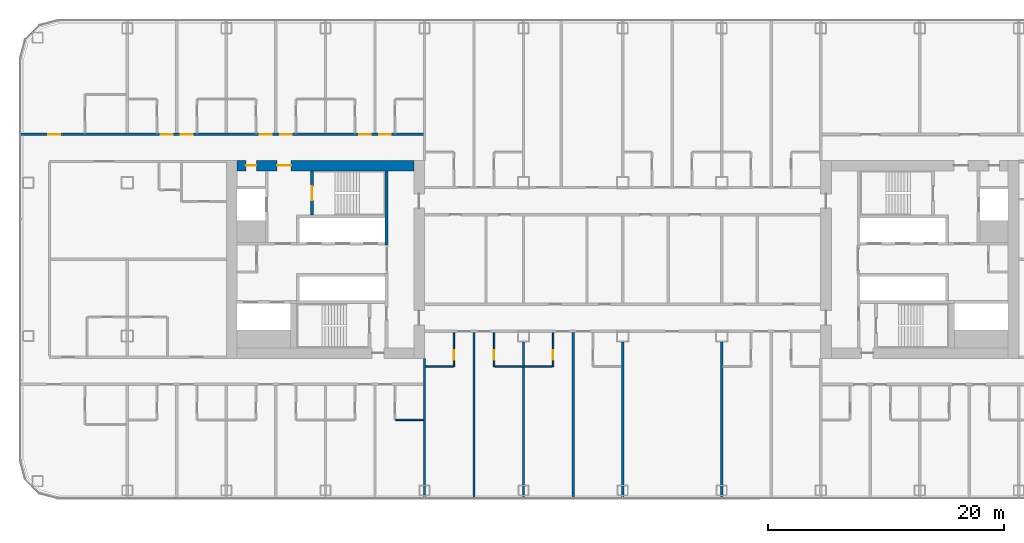
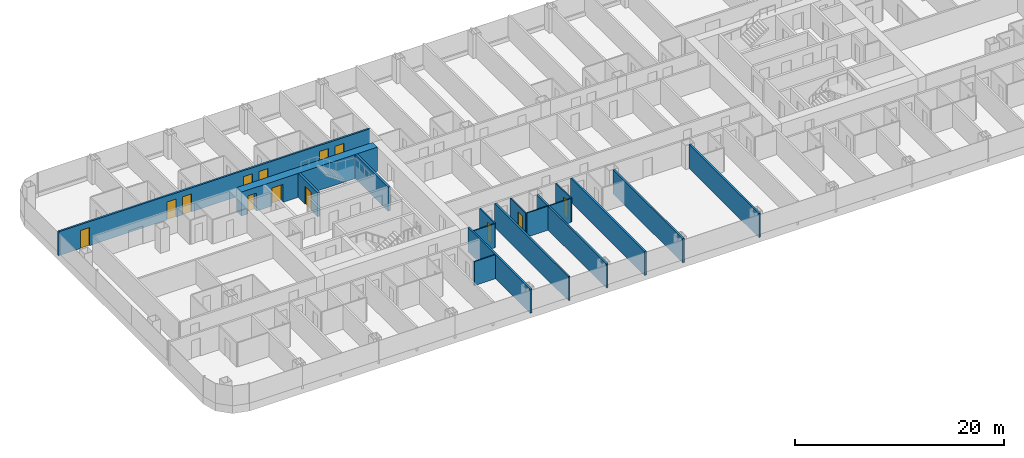
# One storey, part 15 of 29: 16 walls, 13 doors, 13 openings.
"""IFC4 building model written with IfcOpenShell, lengths in metres."""

from ifc_helpers import new_model, si_unit, direction, frame, frame_2d, origin, place, context, subcontext, project, spatial, rectangle, extrude, material, layer, layer_set, type_object, element, fill, save


model = new_model("IFC4")

# Units and contexts
model_context = context("Model", 3, precision=1e-05, world=origin(), true_north=direction((0.0, 1.0)))
body_context = subcontext(model_context, "Body", "Model", "MODEL_VIEW")
ifc_project = project(units=[si_unit("LENGTHUNIT", "METRE"), si_unit("AREAUNIT", "SQUARE_METRE"), si_unit("VOLUMEUNIT", "CUBIC_METRE"), si_unit("PLANEANGLEUNIT", "RADIAN"), si_unit("MASSUNIT", "GRAM", prefix="KILO")], contexts=[model_context])

# Site, building, storey
site_placement = place(None, origin())
site = spatial("IfcSite", under=ifc_project, at=site_placement, CompositionType="ELEMENT")
building_placement = place(site_placement, origin())
building = spatial("IfcBuilding", under=site, at=building_placement, Name="Hakoniwa Tower and Hamabe Station Hall", CompositionType="ELEMENT")
storey_placement = place(building_placement, frame((0.0, 0.0, 23.0)))
storey = spatial("IfcBuildingStorey", under=building, at=storey_placement, Name="L05", CompositionType="ELEMENT", Elevation=23.0)

# Walls
ifc_material_1 = material(Name="Gypsum board partition", Category="gypsum")
ifc_layer_1 = layer(ifc_material_1, 0.125)
ifc_layer_set_1 = layer_set([ifc_layer_1], Name="Bathroom Partition 125")
wall_type_1 = type_object("IfcWallType", Name="Bathroom Partition 125", PredefinedType="PARTITIONING", material=ifc_layer_set_1)
wall_1_placement = place(storey_placement, frame((-19.237548828125, -13.60009765625, 0.0), z_axis=(0.0, 0.0, 1.0), x_axis=(1.0, 0.0, 0.0)))
element("IfcWall", 1, at=wall_1_placement, inside=storey, type_object=wall_type_1, Name="GW-L05-005", PredefinedType="PARTITIONING", context=body_context, shape_type="SweptSolid", body=[
    extrude(rectangle(XDim=2.337646484375, YDim=0.125, at=frame_2d((1.1689453125, 0.0))), origin(), (0.0, 0.0, 1.0), 2.800048828125),
])
wall_2_placement = place(storey_placement, frame((-16.699951171875, -9.10009765625, 0.0), z_axis=(0.0, 0.0, 1.0), x_axis=(1.0, 0.0, 0.0)))
element("IfcWall", 2, at=wall_2_placement, inside=storey, type_object=wall_type_1, Name="GW-L05-013", PredefinedType="PARTITIONING", context=body_context, shape_type="SweptSolid", body=[
    extrude(rectangle(XDim=2.33740234375, YDim=0.125, at=frame_2d((1.168701171875, 0.0))), origin(), (0.0, 0.0, 1.0), 2.800048828125),
])
wall_3_placement = place(storey_placement, frame((-10.83740234375, -9.10009765625, 0.0), z_axis=(0.0, 0.0, 1.0), x_axis=(1.0, 0.0, 0.0)))
element("IfcWall", 3, at=wall_3_placement, inside=storey, type_object=wall_type_1, Name="GW-L05-014", PredefinedType="PARTITIONING", context=body_context, shape_type="SweptSolid", body=[
    extrude(rectangle(XDim=4.875, YDim=0.125, at=frame_2d((2.4375, 0.0))), origin(), (0.0, 0.0, 1.0), 2.800048828125),
])

# Wall, opening, door
wall_4_placement = place(storey_placement, frame((-14.300048828125, -9.10009765625, 0.0), z_axis=(0.0, 0.0, 1.0), x_axis=(0.0, 1.0, 0.0)))
wall_4 = element("IfcWall", 4, at=wall_4_placement, inside=storey, type_object=wall_type_1, Name="GW-L05-081", PredefinedType="PARTITIONING", context=body_context, shape_type="SweptSolid", body=[
    extrude(rectangle(XDim=2.900146484375, YDim=0.125, at=frame_2d((1.4501953125, 0.0))), origin(), (0.0, 0.0, 1.0), 2.800048828125),
])
opening_1_placement = place(wall_4_placement, frame((0.60009765625, 0.0, 0.0)))
opening_1 = element("IfcOpeningElement", 5, at=opening_1_placement, cuts=wall_4, Name="Opening GD-G1B0-78", PredefinedType="OPENING", context=body_context, shape_type="SweptSolid", body=[
    extrude(rectangle(XDim=0.800048828125, YDim=2.10009765625, at=frame_2d((0.39990234375, 1.050048828125))), frame((0.0, 0.072509765625, 0.0), z_axis=(0.0, -1.0, 0.0), x_axis=(1.0, 0.0, 0.0)), (0.0, 0.0, 1.0), 0.14501953125),
])
ifc_material_2 = material(Name="Timber door leaf", Category="wood")
door_type_1 = type_object("IfcDoorType", Name="Bathroom Door 800", OperationType="SINGLE_SWING_LEFT", PredefinedType="DOOR", material=ifc_material_2)
door_1_placement = place(opening_1_placement, origin())
door_1 = element("IfcDoor", 6, at=door_1_placement, inside=storey, type_object=door_type_1, Name="Door GD-G1B0-78", OperationType="SINGLE_SWING_RIGHT", OverallHeight=2.10009765625, OverallWidth=0.800048828125, PredefinedType="DOOR", context=body_context, shape_type="SweptSolid", body=[
    extrude(rectangle(XDim=0.800048828125, YDim=2.10009765625, at=frame_2d((0.39990234375, 1.050048828125))), frame((0.0, 0.02490234375, 0.0), z_axis=(0.0, -1.0, 0.0), x_axis=(1.0, 0.0, 0.0)), (0.0, 0.0, 1.0), 0.050048828125),
])
fill(opening_1, door_1)

wall_5_placement = place(storey_placement, frame((-10.89990234375, -9.10009765625, 0.0), z_axis=(0.0, 0.0, 1.0), x_axis=(0.0, 1.0, 0.0)))
wall_5 = element("IfcWall", 7, at=wall_5_placement, inside=storey, type_object=wall_type_1, Name="GW-L05-086", PredefinedType="PARTITIONING", context=body_context, shape_type="SweptSolid", body=[
    extrude(rectangle(XDim=2.900146484375, YDim=0.125, at=frame_2d((1.4501953125, 0.0))), origin(), (0.0, 0.0, 1.0), 2.800048828125),
])
opening_2_placement = place(wall_5_placement, frame((0.60009765625, 0.0, 0.0)))
opening_2 = element("IfcOpeningElement", 8, at=opening_2_placement, cuts=wall_5, Name="Opening GD-G1B0-80", PredefinedType="OPENING", context=body_context, shape_type="SweptSolid", body=[
    extrude(rectangle(XDim=0.800048828125, YDim=2.10009765625, at=frame_2d((0.39990234375, 1.050048828125))), frame((0.0, 0.072509765625, 0.0), z_axis=(0.0, -1.0, 0.0), x_axis=(1.0, 0.0, 0.0)), (0.0, 0.0, 1.0), 0.14501953125),
])
door_2_placement = place(opening_2_placement, origin())
door_2 = element("IfcDoor", 9, at=door_2_placement, inside=storey, type_object=door_type_1, Name="Door GD-G1B0-80", OperationType="SINGLE_SWING_LEFT", OverallHeight=2.10009765625, OverallWidth=0.800048828125, PredefinedType="DOOR", context=body_context, shape_type="SweptSolid", body=[
    extrude(rectangle(XDim=0.800048828125, YDim=2.10009765625, at=frame_2d((0.39990234375, 1.050048828125))), frame((0.0, 0.02490234375, 0.0), z_axis=(0.0, -1.0, 0.0), x_axis=(1.0, 0.0, 0.0)), (0.0, 0.0, 1.0), 0.050048828125),
])
fill(opening_2, door_2)

wall_6_placement = place(storey_placement, frame((-5.89990234375, -9.10009765625, 0.0), z_axis=(0.0, 0.0, 1.0), x_axis=(0.0, 1.0, 0.0)))
wall_6 = element("IfcWall", 10, at=wall_6_placement, inside=storey, type_object=wall_type_1, Name="GW-L05-091", PredefinedType="PARTITIONING", context=body_context, shape_type="SweptSolid", body=[
    extrude(rectangle(XDim=2.900146484375, YDim=0.125, at=frame_2d((1.4501953125, 0.0))), origin(), (0.0, 0.0, 1.0), 2.800048828125),
])
opening_3_placement = place(wall_6_placement, frame((0.60009765625, 0.0, 0.0)))
opening_3 = element("IfcOpeningElement", 11, at=opening_3_placement, cuts=wall_6, Name="Opening GD-G1B0-82", PredefinedType="OPENING", context=body_context, shape_type="SweptSolid", body=[
    extrude(rectangle(XDim=0.800048828125, YDim=2.10009765625, at=frame_2d((0.39990234375, 1.050048828125))), frame((0.0, 0.072509765625, 0.0), z_axis=(0.0, -1.0, 0.0), x_axis=(1.0, 0.0, 0.0)), (0.0, 0.0, 1.0), 0.14501953125),
])
door_3_placement = place(opening_3_placement, origin())
door_3 = element("IfcDoor", 12, at=door_3_placement, inside=storey, type_object=door_type_1, Name="Door GD-G1B0-82", OperationType="SINGLE_SWING_RIGHT", OverallHeight=2.10009765625, OverallWidth=0.800048828125, PredefinedType="DOOR", context=body_context, shape_type="SweptSolid", body=[
    extrude(rectangle(XDim=0.800048828125, YDim=2.10009765625, at=frame_2d((0.39990234375, 1.050048828125))), frame((0.0, 0.02490234375, 0.0), z_axis=(0.0, -1.0, 0.0), x_axis=(1.0, 0.0, 0.0)), (0.0, 0.0, 1.0), 0.050048828125),
])
fill(opening_3, door_3)

# Wall, openings, doors
ifc_material_3 = material(Name="Concrete C80", Category="concrete")
ifc_layer_2 = layer(ifc_material_3, 0.89990234375)
ifc_layer_set_2 = layer_set([ifc_layer_2], Name="CORE WALL 900 C80")
wall_type_2 = type_object("IfcWallType", Name="CORE WALL 900 C80", PredefinedType="SHEAR", material=ifc_layer_set_2)
wall_7_placement = place(storey_placement, frame((-32.699951171875, 7.949951171875, 0.0), z_axis=(0.0, 0.0, 1.0), x_axis=(1.0, 0.0, 0.0)))
wall_7 = element("IfcWall", 13, at=wall_7_placement, inside=storey, type_object=wall_type_2, Name="Core wall NORTH west", PredefinedType="SHEAR", context=body_context, shape_type="SweptSolid", body=[
    extrude(rectangle(XDim=15.0, YDim=0.89990234375, at=frame_2d((7.5, 0.0))), origin(), (0.0, 0.0, 1.0), 2.800048828125),
])
opening_4_placement = place(wall_7_placement, frame((3.39990234375, 0.0, 0.0)))
opening_4 = element("IfcOpeningElement", 14, at=opening_4_placement, cuts=wall_7, Name="Opening CD-W-FN1-12", PredefinedType="OPENING", context=body_context, shape_type="SweptSolid", body=[
    extrude(rectangle(XDim=1.199951171875, YDim=2.10009765625, at=frame_2d((0.60009765625, 1.050048828125))), frame((0.0, 0.4599609375, 0.0), z_axis=(0.0, -1.0, 0.0), x_axis=(1.0, 0.0, 0.0)), (0.0, 0.0, 1.0), 0.919921875),
])
opening_5_placement = place(wall_7_placement, frame((0.75, 0.0, 0.0)))
opening_5 = element("IfcOpeningElement", 15, at=opening_5_placement, cuts=wall_7, Name="Opening CD-W-FN2-9", PredefinedType="OPENING", context=body_context, shape_type="SweptSolid", body=[
    extrude(rectangle(XDim=0.89990234375, YDim=2.10009765625, at=frame_2d((0.449951171875, 1.050048828125))), frame((0.0, 0.4599609375, 0.0), z_axis=(0.0, -1.0, 0.0), x_axis=(1.0, 0.0, 0.0)), (0.0, 0.0, 1.0), 0.919921875),
])
ifc_material_4 = material(Name="Steel fire door", Category="steel")
door_type_2 = type_object("IfcDoorType", Name="CORE DOOR 1200 FD60", OperationType="DOUBLE_DOOR_SINGLE_SWING", PredefinedType="DOOR", material=ifc_material_4)
door_4_placement = place(opening_4_placement, origin())
door_4 = element("IfcDoor", 16, at=door_4_placement, inside=storey, type_object=door_type_2, Name="Stair vestibule door to the fire-fighting lobby", OperationType="DOUBLE_DOOR_SINGLE_SWING", OverallHeight=2.10009765625, OverallWidth=1.199951171875, PredefinedType="DOOR", context=body_context, shape_type="SweptSolid", body=[
    extrude(rectangle(XDim=1.199951171875, YDim=2.10009765625, at=frame_2d((0.60009765625, 1.050048828125))), frame((0.0, 0.02490234375, 0.0), z_axis=(0.0, -1.0, 0.0), x_axis=(1.0, 0.0, 0.0)), (0.0, 0.0, 1.0), 0.050048828125),
])
fill(opening_4, door_4)
ifc_material_5 = material(Name="Steel fire door", Category="steel")
door_type_3 = type_object("IfcDoorType", Name="CORE DOOR 900 FD30", OperationType="NOTDEFINED", PredefinedType="DOOR", material=ifc_material_5)
door_5_placement = place(opening_5_placement, origin())
door_5 = element("IfcDoor", 17, at=door_5_placement, inside=storey, type_object=door_type_3, Name="Riser access door", OperationType="SINGLE_SWING_LEFT", OverallHeight=2.10009765625, OverallWidth=0.89990234375, PredefinedType="DOOR", context=body_context, shape_type="SweptSolid", body=[
    extrude(rectangle(XDim=0.89990234375, YDim=2.10009765625, at=frame_2d((0.449951171875, 1.050048828125))), frame((0.0, 0.02490234375, 0.0), z_axis=(0.0, -1.0, 0.0), x_axis=(1.0, 0.0, 0.0)), (0.0, 0.0, 1.0), 0.050048828125),
])
fill(opening_5, door_5)

# Wall
ifc_material_6 = material(Name="Concrete C80", Category="concrete")
ifc_layer_3 = layer(ifc_material_6, 0.25)
ifc_layer_set_3 = layer_set([ifc_layer_3], Name="CORE WEB WALL 250 C80")
wall_type_3 = type_object("IfcWallType", Name="CORE WEB WALL 250 C80", PredefinedType="SHEAR", material=ifc_layer_set_3)
wall_8_placement = place(storey_placement, frame((-20.02490234375, 1.199951171875, 0.0), z_axis=(0.0, 0.0, 1.0), x_axis=(0.0, 1.0, 0.0)))
element("IfcWall", 18, at=wall_8_placement, inside=storey, type_object=wall_type_3, Name="Core wall W1N west", PredefinedType="SHEAR", context=body_context, shape_type="SweptSolid", body=[
    extrude(rectangle(XDim=6.300048828125, YDim=0.25, at=frame_2d((3.14990234375, 0.0))), origin(), (0.0, 0.0, 1.0), 2.800048828125),
])

# Wall, opening, door
wall_9_placement = place(storey_placement, frame((-26.324951171875, 3.75, 0.0), z_axis=(0.0, 0.0, 1.0), x_axis=(0.0, 1.0, 0.0)))
wall_9 = element("IfcWall", 19, at=wall_9_placement, inside=storey, type_object=wall_type_3, Name="Core wall NSE west", PredefinedType="SHEAR", context=body_context, shape_type="SweptSolid", body=[
    extrude(rectangle(XDim=3.75, YDim=0.25, at=frame_2d((1.875, 0.0))), origin(), (0.0, 0.0, 1.0), 2.800048828125),
])
opening_6_placement = place(wall_9_placement, frame((1.25, 0.0, 0.0)))
opening_6 = element("IfcOpeningElement", 20, at=opening_6_placement, cuts=wall_9, Name="Opening CD-W-SN-12", PredefinedType="OPENING", context=body_context, shape_type="SweptSolid", body=[
    extrude(rectangle(XDim=1.199951171875, YDim=2.10009765625, at=frame_2d((0.60009765625, 1.050048828125))), frame((0.0, 0.135009765625, 0.0), z_axis=(0.0, -1.0, 0.0), x_axis=(1.0, 0.0, 0.0)), (0.0, 0.0, 1.0), 0.27001953125),
])
door_6_placement = place(opening_6_placement, origin())
door_6 = element("IfcDoor", 21, at=door_6_placement, inside=storey, type_object=door_type_2, Name="Escape stair door", OperationType="DOUBLE_DOOR_SINGLE_SWING", OverallHeight=2.10009765625, OverallWidth=1.199951171875, PredefinedType="DOOR", context=body_context, shape_type="SweptSolid", body=[
    extrude(rectangle(XDim=1.199951171875, YDim=2.10009765625, at=frame_2d((0.60009765625, 1.050048828125))), frame((0.0, 0.02490234375, 0.0), z_axis=(0.0, -1.0, 0.0), x_axis=(1.0, 0.0, 0.0)), (0.0, 0.0, 1.0), 0.050048828125),
])
fill(opening_6, door_6)

# Wall, openings, doors
ifc_material_7 = material(Name="Fire-rated gypsum board partition", Category="gypsum")
ifc_layer_4 = layer(ifc_material_7, 0.199951171875)
ifc_layer_set_4 = layer_set([ifc_layer_4], Name="Corridor Wall 200")
wall_type_4 = type_object("IfcWallType", Name="Corridor Wall 200", PredefinedType="PARTITIONING", material=ifc_layer_set_4)
wall_10_placement = place(storey_placement, frame((-51.10009765625, 10.60009765625, 0.0), z_axis=(0.0, 0.0, 1.0), x_axis=(1.0, 0.0, 0.0)))
wall_10 = element("IfcWall", 22, at=wall_10_placement, inside=storey, type_object=wall_type_4, Name="GW-L05-040", PredefinedType="PARTITIONING", context=body_context, shape_type="SweptSolid", body=[
    extrude(rectangle(XDim=34.300048828125, YDim=0.199951171875, at=frame_2d((17.14990234375, 0.0))), origin(), (0.0, 0.0, 1.0), 2.800048828125),
])
opening_7_placement = place(wall_10_placement, frame((2.39990234375, 0.0, 0.0)))
opening_7 = element("IfcOpeningElement", 23, at=opening_7_placement, cuts=wall_10, Name="Opening GD-G1B0-53", PredefinedType="OPENING", context=body_context, shape_type="SweptSolid", body=[
    extrude(rectangle(XDim=1.0, YDim=2.10009765625, at=frame_2d((0.5, 1.050048828125))), frame((0.0, 0.10986328125, 0.0), z_axis=(0.0, -1.0, 0.0), x_axis=(1.0, 0.0, 0.0)), (0.0, 0.0, 1.0), 0.219970703125),
])
opening_8_placement = place(wall_10_placement, frame((11.949951171875, 0.0, 0.0)))
opening_8 = element("IfcOpeningElement", 24, at=opening_8_placement, cuts=wall_10, Name="Opening GD-G1B0-54", PredefinedType="OPENING", context=body_context, shape_type="SweptSolid", body=[
    extrude(rectangle(XDim=1.0, YDim=2.10009765625, at=frame_2d((0.5, 1.050048828125))), frame((0.0, 0.10986328125, 0.0), z_axis=(0.0, -1.0, 0.0), x_axis=(1.0, 0.0, 0.0)), (0.0, 0.0, 1.0), 0.219970703125),
])
opening_9_placement = place(wall_10_placement, frame((13.64990234375, 0.0, 0.0)))
opening_9 = element("IfcOpeningElement", 25, at=opening_9_placement, cuts=wall_10, Name="Opening GD-G1B0-55", PredefinedType="OPENING", context=body_context, shape_type="SweptSolid", body=[
    extrude(rectangle(XDim=1.0, YDim=2.10009765625, at=frame_2d((0.5, 1.050048828125))), frame((0.0, 0.10986328125, 0.0), z_axis=(0.0, -1.0, 0.0), x_axis=(1.0, 0.0, 0.0)), (0.0, 0.0, 1.0), 0.219970703125),
])
opening_10_placement = place(wall_10_placement, frame((20.35009765625, 0.0, 0.0)))
opening_10 = element("IfcOpeningElement", 26, at=opening_10_placement, cuts=wall_10, Name="Opening GD-G1B0-56", PredefinedType="OPENING", context=body_context, shape_type="SweptSolid", body=[
    extrude(rectangle(XDim=1.0, YDim=2.10009765625, at=frame_2d((0.5, 1.050048828125))), frame((0.0, 0.10986328125, 0.0), z_axis=(0.0, -1.0, 0.0), x_axis=(1.0, 0.0, 0.0)), (0.0, 0.0, 1.0), 0.219970703125),
])
opening_11_placement = place(wall_10_placement, frame((22.050048828125, 0.0, 0.0)))
opening_11 = element("IfcOpeningElement", 27, at=opening_11_placement, cuts=wall_10, Name="Opening GD-G1B0-57", PredefinedType="OPENING", context=body_context, shape_type="SweptSolid", body=[
    extrude(rectangle(XDim=1.0, YDim=2.10009765625, at=frame_2d((0.5, 1.050048828125))), frame((0.0, 0.10986328125, 0.0), z_axis=(0.0, -1.0, 0.0), x_axis=(1.0, 0.0, 0.0)), (0.0, 0.0, 1.0), 0.219970703125),
])
opening_12_placement = place(wall_10_placement, frame((28.75, 0.0, 0.0)))
opening_12 = element("IfcOpeningElement", 28, at=opening_12_placement, cuts=wall_10, Name="Opening GD-G1B0-58", PredefinedType="OPENING", context=body_context, shape_type="SweptSolid", body=[
    extrude(rectangle(XDim=1.0, YDim=2.10009765625, at=frame_2d((0.5, 1.050048828125))), frame((0.0, 0.10986328125, 0.0), z_axis=(0.0, -1.0, 0.0), x_axis=(1.0, 0.0, 0.0)), (0.0, 0.0, 1.0), 0.219970703125),
])
opening_13_placement = place(wall_10_placement, frame((30.449951171875, 0.0, 0.0)))
opening_13 = element("IfcOpeningElement", 29, at=opening_13_placement, cuts=wall_10, Name="Opening GD-G1B0-59", PredefinedType="OPENING", context=body_context, shape_type="SweptSolid", body=[
    extrude(rectangle(XDim=1.0, YDim=2.10009765625, at=frame_2d((0.5, 1.050048828125))), frame((0.0, 0.10986328125, 0.0), z_axis=(0.0, -1.0, 0.0), x_axis=(1.0, 0.0, 0.0)), (0.0, 0.0, 1.0), 0.219970703125),
])
ifc_material_8 = material(Name="Timber door leaf", Category="wood")
door_type_4 = type_object("IfcDoorType", Name="Accessible Guest Entrance Door 1000", OperationType="SINGLE_SWING_LEFT", PredefinedType="DOOR", material=ifc_material_8)
door_7_placement = place(opening_7_placement, origin())
door_7 = element("IfcDoor", 30, at=door_7_placement, inside=storey, type_object=door_type_4, Name="Door GD-G1B0-53", OperationType="SINGLE_SWING_LEFT", OverallHeight=2.10009765625, OverallWidth=1.0, PredefinedType="DOOR", context=body_context, shape_type="SweptSolid", body=[
    extrude(rectangle(XDim=1.0, YDim=2.10009765625, at=frame_2d((0.5, 1.050048828125))), frame((0.0, 0.02490234375, 0.0), z_axis=(0.0, -1.0, 0.0), x_axis=(1.0, 0.0, 0.0)), (0.0, 0.0, 1.0), 0.050048828125),
])
fill(opening_7, door_7)
ifc_material_9 = material(Name="Timber door leaf", Category="wood")
door_type_5 = type_object("IfcDoorType", Name="Guest Entrance Door 1000", OperationType="SINGLE_SWING_LEFT", PredefinedType="DOOR", material=ifc_material_9)
door_8_placement = place(opening_8_placement, origin())
door_8 = element("IfcDoor", 31, at=door_8_placement, inside=storey, type_object=door_type_5, Name="Door GD-G1B0-54", OperationType="SINGLE_SWING_RIGHT", OverallHeight=2.10009765625, OverallWidth=1.0, PredefinedType="DOOR", context=body_context, shape_type="SweptSolid", body=[
    extrude(rectangle(XDim=1.0, YDim=2.10009765625, at=frame_2d((0.5, 1.050048828125))), frame((0.0, 0.02490234375, 0.0), z_axis=(0.0, -1.0, 0.0), x_axis=(1.0, 0.0, 0.0)), (0.0, 0.0, 1.0), 0.050048828125),
])
fill(opening_8, door_8)
door_9_placement = place(opening_9_placement, origin())
door_9 = element("IfcDoor", 32, at=door_9_placement, inside=storey, type_object=door_type_5, Name="Door GD-G1B0-55", OperationType="SINGLE_SWING_LEFT", OverallHeight=2.10009765625, OverallWidth=1.0, PredefinedType="DOOR", context=body_context, shape_type="SweptSolid", body=[
    extrude(rectangle(XDim=1.0, YDim=2.10009765625, at=frame_2d((0.5, 1.050048828125))), frame((0.0, 0.02490234375, 0.0), z_axis=(0.0, -1.0, 0.0), x_axis=(1.0, 0.0, 0.0)), (0.0, 0.0, 1.0), 0.050048828125),
])
fill(opening_9, door_9)
door_10_placement = place(opening_10_placement, origin())
door_10 = element("IfcDoor", 33, at=door_10_placement, inside=storey, type_object=door_type_5, Name="Door GD-G1B0-56", OperationType="SINGLE_SWING_RIGHT", OverallHeight=2.10009765625, OverallWidth=1.0, PredefinedType="DOOR", context=body_context, shape_type="SweptSolid", body=[
    extrude(rectangle(XDim=1.0, YDim=2.10009765625, at=frame_2d((0.5, 1.050048828125))), frame((0.0, 0.02490234375, 0.0), z_axis=(0.0, -1.0, 0.0), x_axis=(1.0, 0.0, 0.0)), (0.0, 0.0, 1.0), 0.050048828125),
])
fill(opening_10, door_10)
door_11_placement = place(opening_11_placement, origin())
door_11 = element("IfcDoor", 34, at=door_11_placement, inside=storey, type_object=door_type_5, Name="Door GD-G1B0-57", OperationType="SINGLE_SWING_LEFT", OverallHeight=2.10009765625, OverallWidth=1.0, PredefinedType="DOOR", context=body_context, shape_type="SweptSolid", body=[
    extrude(rectangle(XDim=1.0, YDim=2.10009765625, at=frame_2d((0.5, 1.050048828125))), frame((0.0, 0.02490234375, 0.0), z_axis=(0.0, -1.0, 0.0), x_axis=(1.0, 0.0, 0.0)), (0.0, 0.0, 1.0), 0.050048828125),
])
fill(opening_11, door_11)
door_12_placement = place(opening_12_placement, origin())
door_12 = element("IfcDoor", 35, at=door_12_placement, inside=storey, type_object=door_type_5, Name="Door GD-G1B0-58", OperationType="SINGLE_SWING_RIGHT", OverallHeight=2.10009765625, OverallWidth=1.0, PredefinedType="DOOR", context=body_context, shape_type="SweptSolid", body=[
    extrude(rectangle(XDim=1.0, YDim=2.10009765625, at=frame_2d((0.5, 1.050048828125))), frame((0.0, 0.02490234375, 0.0), z_axis=(0.0, -1.0, 0.0), x_axis=(1.0, 0.0, 0.0)), (0.0, 0.0, 1.0), 0.050048828125),
])
fill(opening_12, door_12)
door_13_placement = place(opening_13_placement, origin())
door_13 = element("IfcDoor", 36, at=door_13_placement, inside=storey, type_object=door_type_5, Name="Door GD-G1B0-59", OperationType="SINGLE_SWING_LEFT", OverallHeight=2.10009765625, OverallWidth=1.0, PredefinedType="DOOR", context=body_context, shape_type="SweptSolid", body=[
    extrude(rectangle(XDim=1.0, YDim=2.10009765625, at=frame_2d((0.5, 1.050048828125))), frame((0.0, 0.02490234375, 0.0), z_axis=(0.0, -1.0, 0.0), x_axis=(1.0, 0.0, 0.0)), (0.0, 0.0, 1.0), 0.050048828125),
])
fill(opening_13, door_13)

# Walls
ifc_material_10 = material(Name="Fire-rated gypsum board partition", Category="gypsum")
ifc_layer_5 = layer(ifc_material_10, 0.199951171875)
ifc_layer_set_5 = layer_set([ifc_layer_5], Name="Party Wall 200")
wall_type_5 = type_object("IfcWallType", Name="Party Wall 200", PredefinedType="PARTITIONING", material=ifc_layer_set_5)
wall_11_placement = place(storey_placement, frame((-16.800048828125, -20.300048828125, 0.0), z_axis=(0.0, 0.0, 1.0), x_axis=(0.0, 1.0, 0.0)))
element("IfcWall", 37, at=wall_11_placement, inside=storey, type_object=wall_type_5, Name="GW-L05-079", PredefinedType="PARTITIONING", context=body_context, shape_type="SweptSolid", body=[
    extrude(rectangle(XDim=11.91015625, YDim=0.199951171875, at=frame_2d((5.955078125, 0.0))), origin(), (0.0, 0.0, 1.0), 2.800048828125),
])
wall_12_placement = place(storey_placement, frame((-12.60009765625, -20.300048828125, 0.0), z_axis=(0.0, 0.0, 1.0), x_axis=(0.0, 1.0, 0.0)))
element("IfcWall", 38, at=wall_12_placement, inside=storey, type_object=wall_type_5, Name="GW-L05-083", PredefinedType="PARTITIONING", context=body_context, shape_type="SweptSolid", body=[
    extrude(rectangle(XDim=14.10009765625, YDim=0.199951171875, at=frame_2d((7.050048828125, 0.0))), origin(), (0.0, 0.0, 1.0), 2.800048828125),
])
wall_13_placement = place(storey_placement, frame((-8.39990234375, -20.300048828125, 0.0), z_axis=(0.0, 0.0, 1.0), x_axis=(0.0, 1.0, 0.0)))
element("IfcWall", 39, at=wall_13_placement, inside=storey, type_object=wall_type_5, Name="GW-L05-088", PredefinedType="PARTITIONING", context=body_context, shape_type="SweptSolid", body=[
    extrude(rectangle(XDim=13.31005859375, YDim=0.199951171875, at=frame_2d((6.655029296875, 0.0))), origin(), (0.0, 0.0, 1.0), 2.800048828125),
])
wall_14_placement = place(storey_placement, frame((-4.199951171875, -20.300048828125, 0.0), z_axis=(0.0, 0.0, 1.0), x_axis=(0.0, 1.0, 0.0)))
element("IfcWall", 40, at=wall_14_placement, inside=storey, type_object=wall_type_5, Name="GW-L05-093", PredefinedType="PARTITIONING", context=body_context, shape_type="SweptSolid", body=[
    extrude(rectangle(XDim=14.10009765625, YDim=0.199951171875, at=frame_2d((7.050048828125, 0.0))), origin(), (0.0, 0.0, 1.0), 2.800048828125),
])
for number, where, z_axis, x_axis, name in (
    (41, (0.0, -20.300048828125, 0.0), (0.0, 0.0, 1.0), (0.0, 1.0, 0.0), "GW-L05-096"),
    (42, (8.39990234375, -20.300048828125, 0.0), (0.0, 0.0, 1.0), (0.0, 1.0, 0.0), "GW-L05-103"),
):
    element("IfcWall", number, at=place(storey_placement, frame(where, z_axis=z_axis, x_axis=x_axis)), inside=storey, type_object=wall_type_5, Name=name, PredefinedType="PARTITIONING", context=body_context, shape_type="SweptSolid", body=[
        extrude(rectangle(XDim=13.31005859375, YDim=0.199951171875, at=frame_2d((6.655029296875, 0.0))), origin(), (0.0, 0.0, 1.0), 2.800048828125),
    ])

save(model, "model.ifc")
